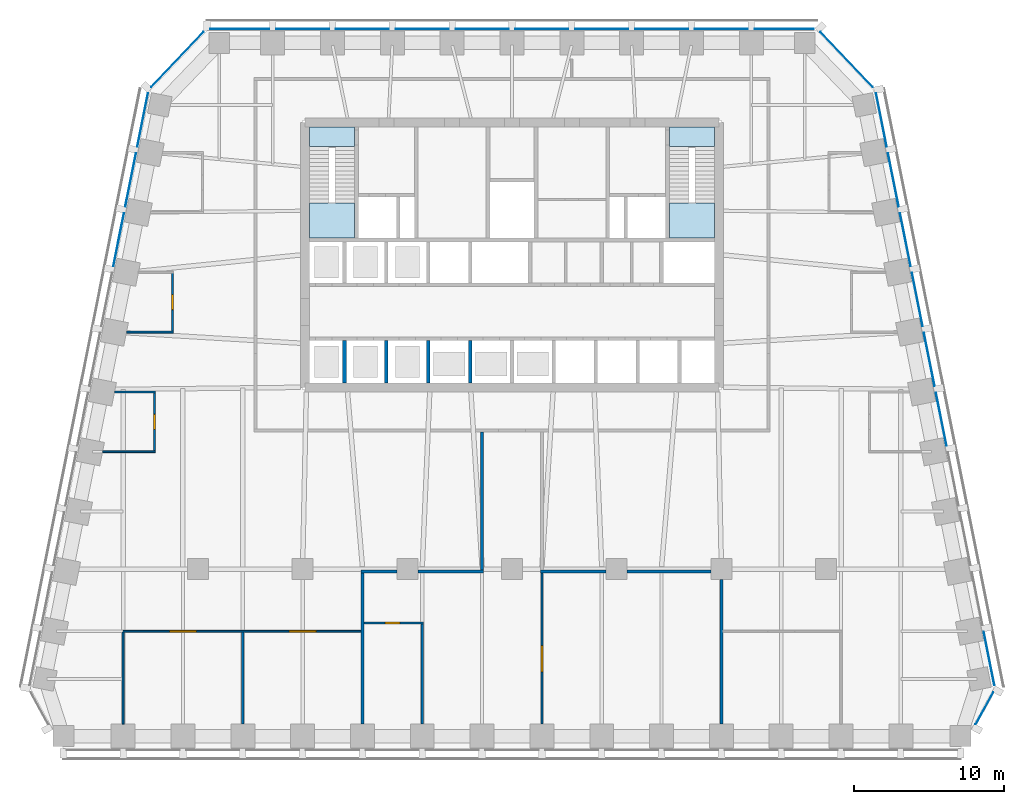
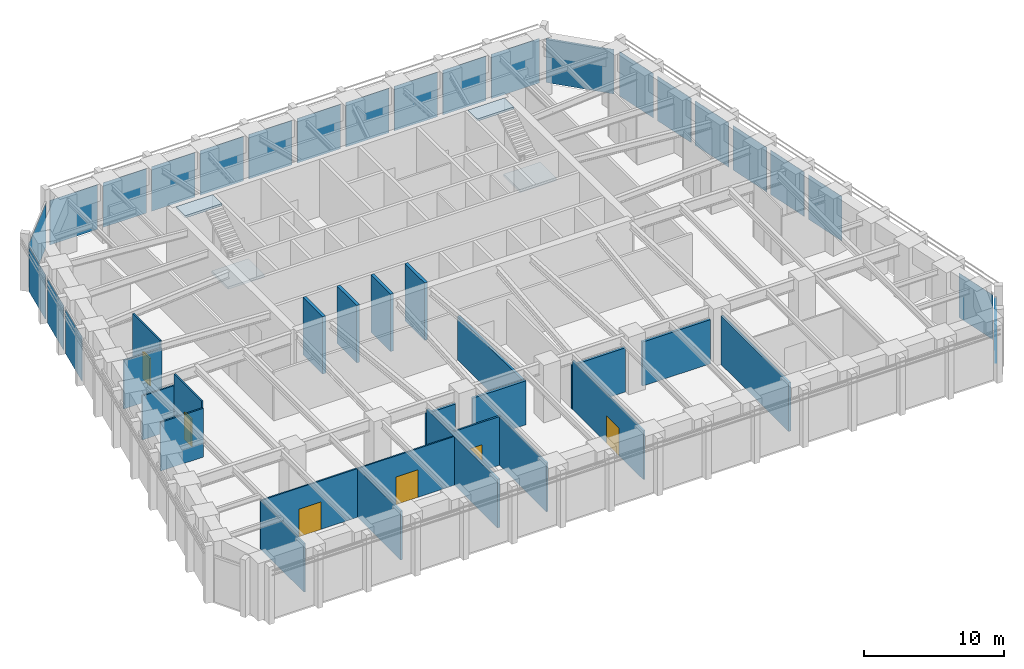
# One storey, part 5 of 11: 23 plates, 22 walls, 6 doors, 4 slabs, 6 openings, 8 elements without a shape of their own.
"""IFC4 building model written with IfcOpenShell, lengths in metres."""

from ifc_helpers import new_model, si_unit, direction, frame, frame_2d, origin, origin_2d, place, context, subcontext, project, spatial, polyline, rectangle, outline, extrude, material, layer, layer_set, type_object, element, fill, aggregate, save


model = new_model("IFC4")

# Units and contexts
model_context = context("Model", 3, precision=1e-05, world=origin(), true_north=direction((0.0, 1.0)))
body_context = subcontext(model_context, "Body", "Model", "MODEL_VIEW")
ifc_project = project(units=[si_unit("LENGTHUNIT", "METRE"), si_unit("AREAUNIT", "SQUARE_METRE"), si_unit("VOLUMEUNIT", "CUBIC_METRE"), si_unit("PLANEANGLEUNIT", "RADIAN"), si_unit("MASSUNIT", "GRAM", prefix="KILO")], contexts=[model_context])

# Site, building, storey
site_placement = place(None, origin())
site = spatial("IfcSite", under=ifc_project, at=site_placement, CompositionType="ELEMENT")
building_placement = place(site_placement, origin())
building = spatial("IfcBuilding", under=site, at=building_placement, Name="Isbrekke Arena Tower", CompositionType="ELEMENT")
storey_placement = place(building_placement, frame((0.0, 0.0, 173.0)))
storey = spatial("IfcBuildingStorey", under=building, at=storey_placement, Name="L39", CompositionType="ELEMENT", Elevation=173.0)

# Curtain wall, plate
ifc_material_1 = material(Name="Glazed aluminium curtain wall", Category="aluminium")
curtain_wall_type = type_object("IfcCurtainWallType", Name="CWS SKY LOBBY CURTAIN WALL", PredefinedType="USERDEFINED", material=ifc_material_1)
curtain_wall_1_placement = place(storey_placement, origin())
curtain_wall_1 = element("IfcCurtainWall", 1, at=curtain_wall_1_placement, inside=storey, type_object=curtain_wall_type, Name="CWS curtain wall L39-SE", ObjectType="SKY LOBBY CURTAIN WALL", PredefinedType="USERDEFINED")
ifc_material_2 = material(Name="Triple-glazed clear glass unit", Category="glass")
ifc_layer_1 = layer(ifc_material_2, 0.031982421875)
ifc_layer_set_1 = layer_set([ifc_layer_1], Name="CWS-P VISION PANEL")
plate_type = type_object("IfcPlateType", Name="CWS-P VISION PANEL", PredefinedType="CURTAIN_PANEL", material=ifc_layer_set_1)
plate_1_placement = place(storey_placement, frame((31.5908203125, -15.3154296875, 0.02001953125), z_axis=(0.0, 0.0, 1.0), x_axis=(0.481918749773, 0.876215908676, 0.0)))
plate_1 = element("IfcPlate", 2, at=plate_1_placement, type_object=plate_type, Name="CWS-P panel 1", PredefinedType="CURTAIN_PANEL", context=body_context, shape_type="SweptSolid", body=[
    extrude(rectangle(XDim=2.4423828125, YDim=0.031982421875, at=origin_2d()), origin(), (0.0, 0.0, 1.0), 3.8798828125),
])
aggregate(curtain_wall_1, [plate_1])

# Curtain wall, plates
curtain_wall_2_placement = place(storey_placement, origin())
curtain_wall_2 = element("IfcCurtainWall", 3, at=curtain_wall_2_placement, inside=storey, type_object=curtain_wall_type, Name="CWS curtain wall L39-E", ObjectType="SKY LOBBY CURTAIN WALL", PredefinedType="USERDEFINED")
plate_2_placement = place(storey_placement, frame((31.89794921875, -11.98046875, 0.02001953125), z_axis=(0.0, 0.0, 1.0), x_axis=(-0.196116135138, 0.980580675691, 0.0)))
plate_2 = element("IfcPlate", 4, at=plate_2_placement, type_object=plate_type, Name="CWS-P panel 1", PredefinedType="CURTAIN_PANEL", context=body_context, shape_type="SweptSolid", body=[
    extrude(rectangle(XDim=3.629150390625, YDim=0.031982421875, at=origin_2d()), origin(), (0.0, 0.0, 1.0), 3.8798828125),
])
plate_3_placement = place(storey_placement, frame((28.697998046875, 4.01953125, 0.02001953125), z_axis=(0.0, 0.0, 1.0), x_axis=(-0.196116135138, 0.980580675691, 0.0)))
plate_3 = element("IfcPlate", 5, at=plate_3_placement, type_object=plate_type, Name="CWS-P panel 5", PredefinedType="CURTAIN_PANEL", context=body_context, shape_type="SweptSolid", body=[
    extrude(rectangle(XDim=3.629150390625, YDim=0.031982421875, at=origin_2d()), origin(), (0.0, 0.0, 1.0), 3.8798828125),
])
plate_4_placement = place(storey_placement, frame((27.89794921875, 8.01953125, 0.02001953125), z_axis=(0.0, 0.0, 1.0), x_axis=(-0.196116135138, 0.980580675691, 0.0)))
plate_4 = element("IfcPlate", 6, at=plate_4_placement, type_object=plate_type, Name="CWS-P panel 6", PredefinedType="CURTAIN_PANEL", context=body_context, shape_type="SweptSolid", body=[
    extrude(rectangle(XDim=3.629150390625, YDim=0.031982421875, at=origin_2d()), origin(), (0.0, 0.0, 1.0), 3.8798828125),
])
plate_5_placement = place(storey_placement, frame((27.09814453125, 12.01953125, 0.02001953125), z_axis=(0.0, 0.0, 1.0), x_axis=(-0.196116135138, 0.980580675691, 0.0)))
plate_5 = element("IfcPlate", 7, at=plate_5_placement, type_object=plate_type, Name="CWS-P panel 7", PredefinedType="CURTAIN_PANEL", context=body_context, shape_type="SweptSolid", body=[
    extrude(rectangle(XDim=3.629150390625, YDim=0.031982421875, at=origin_2d()), origin(), (0.0, 0.0, 1.0), 3.8798828125),
])
plate_6_placement = place(storey_placement, frame((26.298095703125, 16.01953125, 0.02001953125), z_axis=(0.0, 0.0, 1.0), x_axis=(-0.196116135138, 0.980580675691, 0.0)))
plate_6 = element("IfcPlate", 8, at=plate_6_placement, type_object=plate_type, Name="CWS-P panel 8", PredefinedType="CURTAIN_PANEL", context=body_context, shape_type="SweptSolid", body=[
    extrude(rectangle(XDim=3.629150390625, YDim=0.031982421875, at=origin_2d()), origin(), (0.0, 0.0, 1.0), 3.8798828125),
])
plate_7_placement = place(storey_placement, frame((25.498046875, 20.01953125, 0.02001953125), z_axis=(0.0, 0.0, 1.0), x_axis=(-0.196116135138, 0.980580675691, 0.0)))
plate_7 = element("IfcPlate", 9, at=plate_7_placement, type_object=plate_type, Name="CWS-P panel 9", PredefinedType="CURTAIN_PANEL", context=body_context, shape_type="SweptSolid", body=[
    extrude(rectangle(XDim=3.629150390625, YDim=0.031982421875, at=origin_2d()), origin(), (0.0, 0.0, 1.0), 3.8798828125),
])
plate_8_placement = place(storey_placement, frame((24.697998046875, 24.01953125, 0.02001953125), z_axis=(0.0, 0.0, 1.0), x_axis=(-0.196116135138, 0.980580675691, 0.0)))
plate_8 = element("IfcPlate", 10, at=plate_8_placement, type_object=plate_type, Name="CWS-P panel 10", PredefinedType="CURTAIN_PANEL", context=body_context, shape_type="SweptSolid", body=[
    extrude(rectangle(XDim=3.629150390625, YDim=0.031982421875, at=origin_2d()), origin(), (0.0, 0.0, 1.0), 3.8798828125),
])
aggregate(curtain_wall_2, [plate_2, plate_3, plate_4, plate_5, plate_6, plate_7, plate_8])

# Curtain wall, plate
curtain_wall_3_placement = place(storey_placement, origin())
curtain_wall_3 = element("IfcCurtainWall", 11, at=curtain_wall_3_placement, inside=storey, type_object=curtain_wall_type, Name="CWS curtain wall L39-EN", ObjectType="SKY LOBBY CURTAIN WALL", PredefinedType="USERDEFINED")
plate_9_placement = place(storey_placement, frame((22.37255859375, 28.06884765625, 0.02001953125), z_axis=(0.0, 0.0, 1.0), x_axis=(-0.68874946192, 0.72499943359, 0.0)))
plate_9 = element("IfcPlate", 12, at=plate_9_placement, type_object=plate_type, Name="CWS-P panel 1", PredefinedType="CURTAIN_PANEL", context=body_context, shape_type="SweptSolid", body=[
    extrude(rectangle(XDim=5.067138671875, YDim=0.031982421875, at=origin_2d()), origin(), (0.0, 0.0, 1.0), 3.8798828125),
])
aggregate(curtain_wall_3, [plate_9])

# Curtain wall, plates
curtain_wall_4_placement = place(storey_placement, origin())
curtain_wall_4 = element("IfcCurtainWall", 13, at=curtain_wall_4_placement, inside=storey, type_object=curtain_wall_type, Name="CWS curtain wall L39-N", ObjectType="SKY LOBBY CURTAIN WALL", PredefinedType="USERDEFINED")
plate_10_placement = place(storey_placement, frame((18.199951171875, 30.10009765625, 0.02001953125), z_axis=(0.0, 0.0, 1.0), x_axis=(-1.0, 0.0, 0.0)))
plate_10 = element("IfcPlate", 14, at=plate_10_placement, type_object=plate_type, Name="CWS-P panel 1", PredefinedType="CURTAIN_PANEL", context=body_context, shape_type="SweptSolid", body=[
    extrude(rectangle(XDim=3.949951171875, YDim=0.031982421875, at=origin_2d()), origin(), (0.0, 0.0, 1.0), 3.8798828125),
])
plate_11_placement = place(storey_placement, frame((14.0, 30.10009765625, 0.02001953125), z_axis=(0.0, 0.0, 1.0), x_axis=(-1.0, 0.0, 0.0)))
plate_11 = element("IfcPlate", 15, at=plate_11_placement, type_object=plate_type, Name="CWS-P panel 2", PredefinedType="CURTAIN_PANEL", context=body_context, shape_type="SweptSolid", body=[
    extrude(rectangle(XDim=3.550048828125, YDim=0.031982421875, at=origin_2d()), origin(), (0.0, 0.0, 1.0), 3.8798828125),
])
plate_12_placement = place(storey_placement, frame((10.0, 30.10009765625, 0.02001953125), z_axis=(0.0, 0.0, 1.0), x_axis=(-1.0, 0.0, 0.0)))
plate_12 = element("IfcPlate", 16, at=plate_12_placement, type_object=plate_type, Name="CWS-P panel 3", PredefinedType="CURTAIN_PANEL", context=body_context, shape_type="SweptSolid", body=[
    extrude(rectangle(XDim=3.550048828125, YDim=0.031982421875, at=origin_2d()), origin(), (0.0, 0.0, 1.0), 3.8798828125),
])
plate_13_placement = place(storey_placement, frame((6.0, 30.10009765625, 0.02001953125), z_axis=(0.0, 0.0, 1.0), x_axis=(-1.0, 0.0, 0.0)))
plate_13 = element("IfcPlate", 17, at=plate_13_placement, type_object=plate_type, Name="CWS-P panel 4", PredefinedType="CURTAIN_PANEL", context=body_context, shape_type="SweptSolid", body=[
    extrude(rectangle(XDim=3.550048828125, YDim=0.031982421875, at=origin_2d()), origin(), (0.0, 0.0, 1.0), 3.8798828125),
])
plate_14_placement = place(storey_placement, frame((2.0, 30.10009765625, 0.02001953125), z_axis=(0.0, 0.0, 1.0), x_axis=(-1.0, 0.0, 0.0)))
plate_14 = element("IfcPlate", 18, at=plate_14_placement, type_object=plate_type, Name="CWS-P panel 5", PredefinedType="CURTAIN_PANEL", context=body_context, shape_type="SweptSolid", body=[
    extrude(rectangle(XDim=3.550048828125, YDim=0.031982421875, at=origin_2d()), origin(), (0.0, 0.0, 1.0), 3.8798828125),
])
plate_15_placement = place(storey_placement, frame((-2.0, 30.10009765625, 0.02001953125), z_axis=(0.0, 0.0, 1.0), x_axis=(-1.0, 0.0, 0.0)))
plate_15 = element("IfcPlate", 19, at=plate_15_placement, type_object=plate_type, Name="CWS-P panel 6", PredefinedType="CURTAIN_PANEL", context=body_context, shape_type="SweptSolid", body=[
    extrude(rectangle(XDim=3.550048828125, YDim=0.031982421875, at=origin_2d()), origin(), (0.0, 0.0, 1.0), 3.8798828125),
])
plate_16_placement = place(storey_placement, frame((-6.0, 30.10009765625, 0.02001953125), z_axis=(0.0, 0.0, 1.0), x_axis=(-1.0, 0.0, 0.0)))
plate_16 = element("IfcPlate", 20, at=plate_16_placement, type_object=plate_type, Name="CWS-P panel 7", PredefinedType="CURTAIN_PANEL", context=body_context, shape_type="SweptSolid", body=[
    extrude(rectangle(XDim=3.550048828125, YDim=0.031982421875, at=origin_2d()), origin(), (0.0, 0.0, 1.0), 3.8798828125),
])
plate_17_placement = place(storey_placement, frame((-10.0, 30.10009765625, 0.02001953125), z_axis=(0.0, 0.0, 1.0), x_axis=(-1.0, 0.0, 0.0)))
plate_17 = element("IfcPlate", 21, at=plate_17_placement, type_object=plate_type, Name="CWS-P panel 8", PredefinedType="CURTAIN_PANEL", context=body_context, shape_type="SweptSolid", body=[
    extrude(rectangle(XDim=3.550048828125, YDim=0.031982421875, at=origin_2d()), origin(), (0.0, 0.0, 1.0), 3.8798828125),
])
plate_18_placement = place(storey_placement, frame((-14.0, 30.10009765625, 0.02001953125), z_axis=(0.0, 0.0, 1.0), x_axis=(-1.0, 0.0, 0.0)))
plate_18 = element("IfcPlate", 22, at=plate_18_placement, type_object=plate_type, Name="CWS-P panel 9", PredefinedType="CURTAIN_PANEL", context=body_context, shape_type="SweptSolid", body=[
    extrude(rectangle(XDim=3.550048828125, YDim=0.031982421875, at=origin_2d()), origin(), (0.0, 0.0, 1.0), 3.8798828125),
])
plate_19_placement = place(storey_placement, frame((-18.199951171875, 30.10009765625, 0.02001953125), z_axis=(0.0, 0.0, 1.0), x_axis=(-1.0, 0.0, 0.0)))
plate_19 = element("IfcPlate", 23, at=plate_19_placement, type_object=plate_type, Name="CWS-P panel 10", PredefinedType="CURTAIN_PANEL", context=body_context, shape_type="SweptSolid", body=[
    extrude(rectangle(XDim=3.949951171875, YDim=0.031982421875, at=origin_2d()), origin(), (0.0, 0.0, 1.0), 3.8798828125),
])
aggregate(curtain_wall_4, [plate_10, plate_11, plate_12, plate_13, plate_14, plate_15, plate_16, plate_17, plate_18, plate_19])

# Curtain wall, plate
curtain_wall_5_placement = place(storey_placement, origin())
curtain_wall_5 = element("IfcCurtainWall", 24, at=curtain_wall_5_placement, inside=storey, type_object=curtain_wall_type, Name="CWS curtain wall L39-NW", ObjectType="SKY LOBBY CURTAIN WALL", PredefinedType="USERDEFINED")
plate_20_placement = place(storey_placement, frame((-22.37255859375, 28.06884765625, 0.02001953125), z_axis=(0.0, 0.0, 1.0), x_axis=(-0.68874946192, -0.72499943359, 0.0)))
plate_20 = element("IfcPlate", 25, at=plate_20_placement, type_object=plate_type, Name="CWS-P panel 1", PredefinedType="CURTAIN_PANEL", context=body_context, shape_type="SweptSolid", body=[
    extrude(rectangle(XDim=5.067138671875, YDim=0.031982421875, at=origin_2d()), origin(), (0.0, 0.0, 1.0), 3.8798828125),
])
aggregate(curtain_wall_5, [plate_20])

# Curtain wall, plates
curtain_wall_6_placement = place(storey_placement, origin())
curtain_wall_6 = element("IfcCurtainWall", 26, at=curtain_wall_6_placement, inside=storey, type_object=curtain_wall_type, Name="CWS curtain wall L39-W", ObjectType="SKY LOBBY CURTAIN WALL", PredefinedType="USERDEFINED")
plate_21_placement = place(storey_placement, frame((-24.697998046875, 24.01953125, 0.02001953125), z_axis=(0.0, 0.0, 1.0), x_axis=(-0.196116135138, -0.980580675691, 0.0)))
plate_21 = element("IfcPlate", 27, at=plate_21_placement, type_object=plate_type, Name="CWS-P panel 1", PredefinedType="CURTAIN_PANEL", context=body_context, shape_type="SweptSolid", body=[
    extrude(rectangle(XDim=3.629150390625, YDim=0.031982421875, at=origin_2d()), origin(), (0.0, 0.0, 1.0), 3.8798828125),
])
plate_22_placement = place(storey_placement, frame((-25.498046875, 20.01953125, 0.02001953125), z_axis=(0.0, 0.0, 1.0), x_axis=(-0.196116135138, -0.980580675691, 0.0)))
plate_22 = element("IfcPlate", 28, at=plate_22_placement, type_object=plate_type, Name="CWS-P panel 2", PredefinedType="CURTAIN_PANEL", context=body_context, shape_type="SweptSolid", body=[
    extrude(rectangle(XDim=3.629150390625, YDim=0.031982421875, at=origin_2d()), origin(), (0.0, 0.0, 1.0), 3.8798828125),
])
plate_23_placement = place(storey_placement, frame((-26.298095703125, 16.01953125, 0.02001953125), z_axis=(0.0, 0.0, 1.0), x_axis=(-0.196116135138, -0.980580675691, 0.0)))
plate_23 = element("IfcPlate", 29, at=plate_23_placement, type_object=plate_type, Name="CWS-P panel 3", PredefinedType="CURTAIN_PANEL", context=body_context, shape_type="SweptSolid", body=[
    extrude(rectangle(XDim=3.629150390625, YDim=0.031982421875, at=origin_2d()), origin(), (0.0, 0.0, 1.0), 3.8798828125),
])
aggregate(curtain_wall_6, [plate_21, plate_22, plate_23])

# Stair, slabs
ifc_material_3 = material(Name="Concrete B45 (C45/55) precast", Category="concrete")
stair_type = type_object("IfcStairType", Name="ST50 STAIR 1300 WIDE, 30 RISERS 167", PredefinedType="HALF_TURN_STAIR", material=ifc_material_3)
stair_1_placement = place(storey_placement, origin())
stair_1 = element("IfcStair", 30, at=stair_1_placement, inside=storey, type_object=stair_type, Name="ST1 stair L39", PredefinedType="HALF_TURN_STAIR")
ifc_material_4 = material(Name="Concrete B35 (C35/45)", Category="concrete")
ifc_layer_2 = layer(ifc_material_4, 0.199951171875)
ifc_layer_set_2 = layer_set([ifc_layer_2], Name="SL1 STAIR LANDING 200")
slab_type = type_object("IfcSlabType", Name="SL1 STAIR LANDING 200", PredefinedType="LANDING", material=ifc_layer_set_2)
slab_1_placement = place(storey_placement, frame((0.0, 0.0, 2.300048828125)))
slab_1 = element("IfcSlab", 31, at=slab_1_placement, type_object=slab_type, Name="ST1 landing 1", PredefinedType="LANDING", context=body_context, shape_type="SweptSolid", body=[
    extrude(outline(polyline([(-13.550048828125, 16.125), (-10.52490234375, 16.125), (-10.52490234375, 18.469970703125), (-13.550048828125, 18.469970703125), (-13.550048828125, 16.125)])), origin(), (0.0, 0.0, 1.0), 0.199951171875),
])
slab_2_placement = place(storey_placement, frame((0.0, 0.0, 4.800048828125)))
slab_2 = element("IfcSlab", 32, at=slab_2_placement, type_object=slab_type, Name="ST1 landing 2", PredefinedType="LANDING", context=body_context, shape_type="SweptSolid", body=[
    extrude(outline(polyline([(-13.550048828125, 22.25), (-10.52490234375, 22.25), (-10.52490234375, 23.550048828125), (-13.550048828125, 23.550048828125), (-13.550048828125, 22.25)])), origin(), (0.0, 0.0, 1.0), 0.199951171875),
])
aggregate(stair_1, [slab_1, slab_2])

stair_2_placement = place(storey_placement, origin())
stair_2 = element("IfcStair", 33, at=stair_2_placement, inside=storey, type_object=stair_type, Name="ST2 stair L39", PredefinedType="HALF_TURN_STAIR")
slab_3_placement = place(storey_placement, frame((0.0, 0.0, 2.300048828125)))
slab_3 = element("IfcSlab", 34, at=slab_3_placement, type_object=slab_type, Name="ST2 landing 1", PredefinedType="LANDING", context=body_context, shape_type="SweptSolid", body=[
    extrude(outline(polyline([(10.52490234375, 16.125), (13.550048828125, 16.125), (13.550048828125, 18.469970703125), (10.52490234375, 18.469970703125), (10.52490234375, 16.125)])), origin(), (0.0, 0.0, 1.0), 0.199951171875),
])
slab_4_placement = place(storey_placement, frame((0.0, 0.0, 4.800048828125)))
slab_4 = element("IfcSlab", 35, at=slab_4_placement, type_object=slab_type, Name="ST2 landing 2", PredefinedType="LANDING", context=body_context, shape_type="SweptSolid", body=[
    extrude(outline(polyline([(10.52490234375, 22.25), (13.550048828125, 22.25), (13.550048828125, 23.550048828125), (10.52490234375, 23.550048828125), (10.52490234375, 22.25)])), origin(), (0.0, 0.0, 1.0), 0.199951171875),
])
aggregate(stair_2, [slab_3, slab_4])

# Walls
ifc_material_5 = material(Name="Concrete B45 (C45/55)", Category="concrete")
ifc_layer_3 = layer(ifc_material_5, 0.25)
ifc_layer_set_3 = layer_set([ifc_layer_3], Name="CW6 SHAFT WALL 250")
wall_type_1 = type_object("IfcWallType", Name="CW6 SHAFT WALL 250", PredefinedType="SHEAR", material=ifc_layer_set_3)
for number, where, z_axis, x_axis, name in (
    (36, (-11.199951171875, 6.449951171875, 0.0), (0.0, 0.0, 1.0), (0.0, 1.0, 0.0), "Core wall SS01 L39"),
    (37, (-8.39990234375, 6.449951171875, 0.0), (0.0, 0.0, 1.0), (0.0, 1.0, 0.0), "Core wall SS02 L39"),
    (38, (-5.60009765625, 6.449951171875, 0.0), (0.0, 0.0, 1.0), (0.0, 1.0, 0.0), "Core wall SS03 L39"),
    (39, (-2.800048828125, 6.449951171875, 0.0), (0.0, 0.0, 1.0), (0.0, 1.0, 0.0), "Core wall SS04 L39"),
):
    element("IfcWall", number, at=place(storey_placement, frame(where, z_axis=z_axis, x_axis=x_axis)), inside=storey, type_object=wall_type_1, Name=name, PredefinedType="SHEAR", context=body_context, shape_type="SweptSolid", body=[
        extrude(rectangle(XDim=2.824951171875, YDim=0.25, at=frame_2d((1.41259765625, 0.0))), origin(), (0.0, 0.0, 1.0), 5.0),
    ])

# Wall, opening, door
ifc_material_6 = material(Name="Gypsum board partition on steel studs", Category="steel")
ifc_layer_4 = layer(ifc_material_6, 0.14990234375)
ifc_layer_set_4 = layer_set([ifc_layer_4], Name="IW1 PARTITION 150")
wall_type_2 = type_object("IfcWallType", Name="IW1 PARTITION 150", PredefinedType="PARTITIONING", material=ifc_layer_set_4)
wall_1_placement = place(storey_placement, frame((-9.89990234375, -9.60009765625, 0.0), z_axis=(0.0, 0.0, 1.0), x_axis=(1.0, 0.0, 0.0)))
wall_1 = element("IfcWall", 40, at=wall_1_placement, inside=storey, type_object=wall_type_2, Name="IW1 partition 150 L39", PredefinedType="PARTITIONING", context=body_context, shape_type="SweptSolid", body=[
    extrude(rectangle(XDim=3.974853515625, YDim=0.14990234375, at=frame_2d((1.9873046875, 0.0))), origin(), (0.0, 0.0, 1.0), 4.25),
])
opening_1_placement = place(wall_1_placement, frame((1.39990234375, 0.0, 0.0)))
opening_1 = element("IfcOpeningElement", 41, at=opening_1_placement, cuts=wall_1, Name="Opening D10", PredefinedType="OPENING", context=body_context, shape_type="SweptSolid", body=[
    extrude(rectangle(XDim=1.0, YDim=2.300048828125, at=frame_2d((0.5, 1.14990234375))), frame((0.0, 0.08984375, 0.0), z_axis=(0.0, -1.0, 0.0), x_axis=(1.0, 0.0, 0.0)), (0.0, 0.0, 1.0), 0.1796875),
])
ifc_material_7 = material(Name="Timber door", Category="wood")
door_type_1 = type_object("IfcDoorType", Name="D10 OFFICE DOOR 1000 x 2300", OperationType="SINGLE_SWING_LEFT", PredefinedType="DOOR", material=ifc_material_7)
door_1_placement = place(opening_1_placement, origin())
door_1 = element("IfcDoor", 42, at=door_1_placement, inside=storey, type_object=door_type_1, Name="D10 servery door L39", OperationType="SINGLE_SWING_LEFT", OverallHeight=2.300048828125, OverallWidth=1.0, PredefinedType="DOOR", context=body_context, shape_type="SweptSolid", body=[
    extrude(rectangle(XDim=1.0, YDim=2.300048828125, at=frame_2d((0.5, 1.14990234375))), frame((0.0, 0.07470703125, 0.0), z_axis=(0.0, -1.0, 0.0), x_axis=(1.0, 0.0, 0.0)), (0.0, 0.0, 1.0), 0.1494140625),
])
fill(opening_1, door_1)

# Wall
wall_2_placement = place(storey_placement, frame((-6.0, -16.375, 0.0), z_axis=(0.0, 0.0, 1.0), x_axis=(0.0, 1.0, 0.0)))
element("IfcWall", 43, at=wall_2_placement, inside=storey, type_object=wall_type_2, Name="IW1 partition 150 L39", PredefinedType="PARTITIONING", context=body_context, shape_type="SweptSolid", body=[
    extrude(rectangle(XDim=6.699951171875, YDim=0.14990234375, at=frame_2d((3.35009765625, 0.0))), origin(), (0.0, 0.0, 1.0), 4.25),
])

# Wall, opening, door
wall_3_placement = place(storey_placement, frame((2.0, -16.375, 0.0), z_axis=(0.0, 0.0, 1.0), x_axis=(0.0, 1.0, 0.0)))
wall_3 = element("IfcWall", 44, at=wall_3_placement, inside=storey, type_object=wall_type_2, Name="IW1 partition 150 L39", PredefinedType="PARTITIONING", context=body_context, shape_type="SweptSolid", body=[
    extrude(rectangle(XDim=10.114990234375, YDim=0.14990234375, at=frame_2d((5.0576171875, 0.0))), origin(), (0.0, 0.0, 1.0), 4.25),
])
opening_2_placement = place(wall_3_placement, frame((3.47509765625, 0.0, 0.0)))
opening_2 = element("IfcOpeningElement", 45, at=opening_2_placement, cuts=wall_3, Name="Opening D13", PredefinedType="OPENING", context=body_context, shape_type="SweptSolid", body=[
    extrude(rectangle(XDim=1.800048828125, YDim=2.39990234375, at=frame_2d((0.89990234375, 1.199951171875))), frame((0.0, 0.08984375, 0.0), z_axis=(0.0, -1.0, 0.0), x_axis=(1.0, 0.0, 0.0)), (0.0, 0.0, 1.0), 0.1796875),
])
ifc_material_8 = material(Name="Timber door pair", Category="wood")
door_type_2 = type_object("IfcDoorType", Name="D13 DOUBLE ROOM DOOR 1800 x 2400", OperationType="DOUBLE_DOOR_SINGLE_SWING", PredefinedType="DOOR", material=ifc_material_8)
door_2_placement = place(opening_2_placement, origin())
door_2 = element("IfcDoor", 46, at=door_2_placement, inside=storey, type_object=door_type_2, Name="D13 kitchen door L39", OperationType="DOUBLE_DOOR_SINGLE_SWING", OverallHeight=2.39990234375, OverallWidth=1.800048828125, PredefinedType="DOOR", context=body_context, shape_type="SweptSolid", body=[
    extrude(rectangle(XDim=1.800048828125, YDim=2.39990234375, at=frame_2d((0.89990234375, 1.199951171875))), frame((0.0, 0.07470703125, 0.0), z_axis=(0.0, -1.0, 0.0), x_axis=(1.0, 0.0, 0.0)), (0.0, 0.0, 1.0), 0.1494140625),
])
fill(opening_2, door_2)

# Wall, openings, doors
ifc_material_9 = material(Name="Frameless glazed partition, laminated acoustic glass", Category="glass")
ifc_layer_5 = layer(ifc_material_9, 0.1201171875)
ifc_layer_set_5 = layer_set([ifc_layer_5], Name="IW2 GLAZED PARTITION 120")
wall_type_3 = type_object("IfcWallType", Name="IW2 GLAZED PARTITION 120", PredefinedType="PARTITIONING", material=ifc_layer_set_5)
wall_4_placement = place(storey_placement, frame((-26.06005859375, -10.159912109375, 0.0), z_axis=(0.0, 0.0, 1.0), x_axis=(1.0, 0.0, 0.0)))
wall_4 = element("IfcWall", 47, at=wall_4_placement, inside=storey, type_object=wall_type_3, Name="IW2 glazed partition 120 L39", PredefinedType="PARTITIONING", context=body_context, shape_type="SweptSolid", body=[
    extrude(rectangle(XDim=15.9599609375, YDim=0.1201171875, at=frame_2d((7.97998046875, 0.0))), origin(), (0.0, 0.0, 1.0), 4.25),
])
opening_3_placement = place(wall_4_placement, frame((3.159912109375, 0.0, 0.0)))
opening_3 = element("IfcOpeningElement", 48, at=opening_3_placement, cuts=wall_4, Name="Opening D13", PredefinedType="OPENING", context=body_context, shape_type="SweptSolid", body=[
    extrude(rectangle(XDim=1.800048828125, YDim=2.39990234375, at=frame_2d((0.89990234375, 1.199951171875))), frame((0.0, 0.074951171875, 0.0), z_axis=(0.0, -1.0, 0.0), x_axis=(1.0, 0.0, 0.0)), (0.0, 0.0, 1.0), 0.14990234375),
])
opening_4_placement = place(wall_4_placement, frame((11.159912109375, 0.0, 0.0)))
opening_4 = element("IfcOpeningElement", 49, at=opening_4_placement, cuts=wall_4, Name="Opening D13", PredefinedType="OPENING", context=body_context, shape_type="SweptSolid", body=[
    extrude(rectangle(XDim=1.800048828125, YDim=2.39990234375, at=frame_2d((0.89990234375, 1.199951171875))), frame((0.0, 0.074951171875, 0.0), z_axis=(0.0, -1.0, 0.0), x_axis=(1.0, 0.0, 0.0)), (0.0, 0.0, 1.0), 0.14990234375),
])
door_3_placement = place(opening_3_placement, origin())
door_3 = element("IfcDoor", 50, at=door_3_placement, inside=storey, type_object=door_type_2, Name="D13 meeting room door L39", OperationType="DOUBLE_DOOR_SINGLE_SWING", OverallHeight=2.39990234375, OverallWidth=1.800048828125, PredefinedType="DOOR", context=body_context, shape_type="SweptSolid", body=[
    extrude(rectangle(XDim=1.800048828125, YDim=2.39990234375, at=frame_2d((0.89990234375, 1.199951171875))), frame((0.0, 0.059814453125, 0.0), z_axis=(0.0, -1.0, 0.0), x_axis=(1.0, 0.0, 0.0)), (0.0, 0.0, 1.0), 0.11962890625),
])
fill(opening_3, door_3)
door_4_placement = place(opening_4_placement, origin())
door_4 = element("IfcDoor", 51, at=door_4_placement, inside=storey, type_object=door_type_2, Name="D13 meeting room door L39", OperationType="DOUBLE_DOOR_SINGLE_SWING", OverallHeight=2.39990234375, OverallWidth=1.800048828125, PredefinedType="DOOR", context=body_context, shape_type="SweptSolid", body=[
    extrude(rectangle(XDim=1.800048828125, YDim=2.39990234375, at=frame_2d((0.89990234375, 1.199951171875))), frame((0.0, 0.059814453125, 0.0), z_axis=(0.0, -1.0, 0.0), x_axis=(1.0, 0.0, 0.0)), (0.0, 0.0, 1.0), 0.11962890625),
])
fill(opening_4, door_4)

# Walls
wall_5_placement = place(storey_placement, frame((-27.374755859375, 1.840087890625, 0.0), z_axis=(0.0, 0.0, 1.0), x_axis=(1.0, 0.0, 0.0)))
element("IfcWall", 52, at=wall_5_placement, inside=storey, type_object=wall_type_3, Name="IW2 glazed partition 120 L39", PredefinedType="PARTITIONING", context=body_context, shape_type="SweptSolid", body=[
    extrude(rectangle(XDim=3.53466796875, YDim=0.1201171875, at=frame_2d((1.767333984375, 0.0))), origin(), (0.0, 0.0, 1.0), 4.25),
])
wall_6_placement = place(storey_placement, frame((-26.57470703125, 5.840087890625, 0.0), z_axis=(0.0, 0.0, 1.0), x_axis=(1.0, 0.0, 0.0)))
element("IfcWall", 53, at=wall_6_placement, inside=storey, type_object=wall_type_3, Name="IW2 glazed partition 120 L39", PredefinedType="PARTITIONING", context=body_context, shape_type="SweptSolid", body=[
    extrude(rectangle(XDim=2.734619140625, YDim=0.1201171875, at=frame_2d((1.3671875, 0.0))), origin(), (0.0, 0.0, 1.0), 3.842041015625),
])
wall_7_placement = place(storey_placement, frame((-25.77490234375, 9.840087890625, 0.0), z_axis=(0.0, 0.0, 1.0), x_axis=(1.0, 0.0, 0.0)))
element("IfcWall", 54, at=wall_7_placement, inside=storey, type_object=wall_type_3, Name="IW2 glazed partition 120 L39", PredefinedType="PARTITIONING", context=body_context, shape_type="SweptSolid", body=[
    extrude(rectangle(XDim=3.135009765625, YDim=0.1201171875, at=frame_2d((1.5673828125, 0.0))), origin(), (0.0, 0.0, 1.0), 4.25),
])
wall_8_placement = place(storey_placement, frame((-26.0, -16.375, 0.0), z_axis=(0.0, 0.0, 1.0), x_axis=(0.0, 1.0, 0.0)))
element("IfcWall", 55, at=wall_8_placement, inside=storey, type_object=wall_type_3, Name="IW2 glazed partition 120 L39", PredefinedType="PARTITIONING", context=body_context, shape_type="SweptSolid", body=[
    extrude(rectangle(XDim=6.155029296875, YDim=0.1201171875, at=frame_2d((3.07763671875, 0.0))), origin(), (0.0, 0.0, 1.0), 4.25),
])

# Wall, opening, door
wall_9_placement = place(storey_placement, frame((-23.89990234375, 1.89990234375, 0.0), z_axis=(0.0, 0.0, 1.0), x_axis=(0.0, 1.0, 0.0)))
wall_9 = element("IfcWall", 56, at=wall_9_placement, inside=storey, type_object=wall_type_3, Name="IW2 glazed partition 120 L39", PredefinedType="PARTITIONING", context=body_context, shape_type="SweptSolid", body=[
    extrude(rectangle(XDim=3.880126953125, YDim=0.1201171875, at=frame_2d((1.93994140625, 0.0))), origin(), (0.0, 0.0, 1.0), 4.85009765625),
])
opening_5_placement = place(wall_9_placement, frame((1.43994140625, 0.0, 0.0)))
opening_5 = element("IfcOpeningElement", 57, at=opening_5_placement, cuts=wall_9, Name="Opening D11", PredefinedType="OPENING", context=body_context, shape_type="SweptSolid", body=[
    extrude(rectangle(XDim=1.0, YDim=2.39990234375, at=frame_2d((0.5, 1.199951171875))), frame((0.0, 0.074951171875, 0.0), z_axis=(0.0, -1.0, 0.0), x_axis=(1.0, 0.0, 0.0)), (0.0, 0.0, 1.0), 0.14990234375),
])
ifc_material_10 = material(Name="Frameless glazed door", Category="glass")
door_type_3 = type_object("IfcDoorType", Name="D11 GLAZED MEETING ROOM DOOR 1000 x 2400", OperationType="SINGLE_SWING_RIGHT", PredefinedType="DOOR", material=ifc_material_10)
door_5_placement = place(opening_5_placement, origin())
door_5 = element("IfcDoor", 58, at=door_5_placement, inside=storey, type_object=door_type_3, Name="D11 quiet room door L39", OperationType="SINGLE_SWING_RIGHT", OverallHeight=2.39990234375, OverallWidth=1.0, PredefinedType="DOOR", context=body_context, shape_type="SweptSolid", body=[
    extrude(rectangle(XDim=1.0, YDim=2.39990234375, at=frame_2d((0.5, 1.199951171875))), frame((0.0, 0.059814453125, 0.0), z_axis=(0.0, -1.0, 0.0), x_axis=(1.0, 0.0, 0.0)), (0.0, 0.0, 1.0), 0.11962890625),
])
fill(opening_5, door_5)

wall_10_placement = place(storey_placement, frame((-22.699951171875, 9.89990234375, 0.0), z_axis=(0.0, 0.0, 1.0), x_axis=(0.0, 1.0, 0.0)))
wall_10 = element("IfcWall", 59, at=wall_10_placement, inside=storey, type_object=wall_type_3, Name="IW2 glazed partition 120 L39", PredefinedType="PARTITIONING", context=body_context, shape_type="SweptSolid", body=[
    extrude(rectangle(XDim=3.880126953125, YDim=0.1201171875, at=frame_2d((1.93994140625, 0.0))), origin(), (0.0, 0.0, 1.0), 4.85009765625),
])
opening_6_placement = place(wall_10_placement, frame((1.43994140625, 0.0, 0.0)))
opening_6 = element("IfcOpeningElement", 60, at=opening_6_placement, cuts=wall_10, Name="Opening D11", PredefinedType="OPENING", context=body_context, shape_type="SweptSolid", body=[
    extrude(rectangle(XDim=1.0, YDim=2.39990234375, at=frame_2d((0.5, 1.199951171875))), frame((0.0, 0.074951171875, 0.0), z_axis=(0.0, -1.0, 0.0), x_axis=(1.0, 0.0, 0.0)), (0.0, 0.0, 1.0), 0.14990234375),
])
door_6_placement = place(opening_6_placement, origin())
door_6 = element("IfcDoor", 61, at=door_6_placement, inside=storey, type_object=door_type_3, Name="D11 quiet room door L39", OperationType="SINGLE_SWING_RIGHT", OverallHeight=2.39990234375, OverallWidth=1.0, PredefinedType="DOOR", context=body_context, shape_type="SweptSolid", body=[
    extrude(rectangle(XDim=1.0, YDim=2.39990234375, at=frame_2d((0.5, 1.199951171875))), frame((0.0, 0.059814453125, 0.0), z_axis=(0.0, -1.0, 0.0), x_axis=(1.0, 0.0, 0.0)), (0.0, 0.0, 1.0), 0.11962890625),
])
fill(opening_6, door_6)

# Walls
ifc_material_11 = material(Name="Gypsum board fire-cell wall on steel studs, two layers each side", Category="steel")
ifc_layer_6 = layer(ifc_material_11, 0.199951171875)
ifc_layer_set_6 = layer_set([ifc_layer_6], Name="IW3 FIRE-CELL WALL 200")
wall_type_4 = type_object("IfcWallType", Name="IW3 FIRE-CELL WALL 200", PredefinedType="PARTITIONING", material=ifc_layer_set_6)
wall_11_placement = place(storey_placement, frame((-10.10009765625, -6.159912109375, 0.0), z_axis=(0.0, 0.0, 1.0), x_axis=(1.0, 0.0, 0.0)))
element("IfcWall", 62, at=wall_11_placement, inside=storey, type_object=wall_type_4, Name="IW3 fire-cell wall 200 L39", PredefinedType="PARTITIONING", context=body_context, shape_type="SweptSolid", body=[
    extrude(rectangle(XDim=2.400146484375, YDim=0.199951171875, at=frame_2d((1.2001953125, 0.0))), origin(), (0.0, 0.0, 1.0), 3.842041015625),
])
for number, where, z_axis, x_axis, name in (
    (63, (-6.300048828125, -6.159912109375, 0.0), (0.0, 0.0, 1.0), (1.0, 0.0, 0.0), "IW3 fire-cell wall 200 L39"),
    (64, (1.89990234375, -6.159912109375, 0.0), (0.0, 0.0, 1.0), (1.0, 0.0, 0.0), "IW3 fire-cell wall 200 L39"),
):
    element("IfcWall", number, at=place(storey_placement, frame(where, z_axis=z_axis, x_axis=x_axis)), inside=storey, type_object=wall_type_4, Name=name, PredefinedType="PARTITIONING", context=body_context, shape_type="SweptSolid", body=[
        extrude(rectangle(XDim=4.400146484375, YDim=0.199951171875, at=frame_2d((2.2001953125, 0.0))), origin(), (0.0, 0.0, 1.0), 3.842041015625),
    ])
wall_12_placement = place(storey_placement, frame((7.699951171875, -6.159912109375, 0.0), z_axis=(0.0, 0.0, 1.0), x_axis=(1.0, 0.0, 0.0)))
element("IfcWall", 65, at=wall_12_placement, inside=storey, type_object=wall_type_4, Name="IW3 fire-cell wall 200 L39", PredefinedType="PARTITIONING", context=body_context, shape_type="SweptSolid", body=[
    extrude(rectangle(XDim=5.60009765625, YDim=0.199951171875, at=frame_2d((2.800048828125, 0.0))), origin(), (0.0, 0.0, 1.0), 3.842041015625),
])
wall_13_placement = place(storey_placement, frame((-10.0, -16.375, 0.0), z_axis=(0.0, 0.0, 1.0), x_axis=(0.0, 1.0, 0.0)))
element("IfcWall", 66, at=wall_13_placement, inside=storey, type_object=wall_type_4, Name="IW3 fire-cell wall 200 L39", PredefinedType="PARTITIONING", context=body_context, shape_type="SweptSolid", body=[
    extrude(rectangle(XDim=10.114990234375, YDim=0.199951171875, at=frame_2d((5.0576171875, 0.0))), origin(), (0.0, 0.0, 1.0), 4.25),
])
wall_14_placement = place(storey_placement, frame((-2.0, -6.06005859375, 0.0), z_axis=(0.0, 0.0, 1.0), x_axis=(0.0, 1.0, 0.0)))
element("IfcWall", 67, at=wall_14_placement, inside=storey, type_object=wall_type_4, Name="IW3 fire-cell wall 200 L39", PredefinedType="PARTITIONING", context=body_context, shape_type="SweptSolid", body=[
    extrude(rectangle(XDim=9.2099609375, YDim=0.199951171875, at=frame_2d((4.60498046875, 0.0))), origin(), (0.0, 0.0, 1.0), 3.842041015625),
])
wall_15_placement = place(storey_placement, frame((14.0, -16.375, 0.0), z_axis=(0.0, 0.0, 1.0), x_axis=(0.0, 1.0, 0.0)))
element("IfcWall", 68, at=wall_15_placement, inside=storey, type_object=wall_type_4, Name="IW3 fire-cell wall 200 L39", PredefinedType="PARTITIONING", context=body_context, shape_type="SweptSolid", body=[
    extrude(rectangle(XDim=9.675048828125, YDim=0.199951171875, at=frame_2d((4.83740234375, 0.0))), origin(), (0.0, 0.0, 1.0), 4.25),
])
ifc_material_12 = material(Name="Gypsum board acoustic partition on twin steel studs", Category="steel")
ifc_layer_7 = layer(ifc_material_12, 0.175048828125)
ifc_layer_set_7 = layer_set([ifc_layer_7], Name="IW4 ACOUSTIC PARTITION 175")
wall_type_5 = type_object("IfcWallType", Name="IW4 ACOUSTIC PARTITION 175", PredefinedType="PARTITIONING", material=ifc_layer_set_7)
wall_16_placement = place(storey_placement, frame((-18.0, -16.375, 0.0), z_axis=(0.0, 0.0, 1.0), x_axis=(0.0, 1.0, 0.0)))
element("IfcWall", 69, at=wall_16_placement, inside=storey, type_object=wall_type_5, Name="IW4 acoustic partition 175 L39", PredefinedType="PARTITIONING", context=body_context, shape_type="SweptSolid", body=[
    extrude(rectangle(XDim=6.155029296875, YDim=0.175048828125, at=frame_2d((3.07763671875, 0.0))), origin(), (0.0, 0.0, 1.0), 4.25),
])

save(model, "model.ifc")
